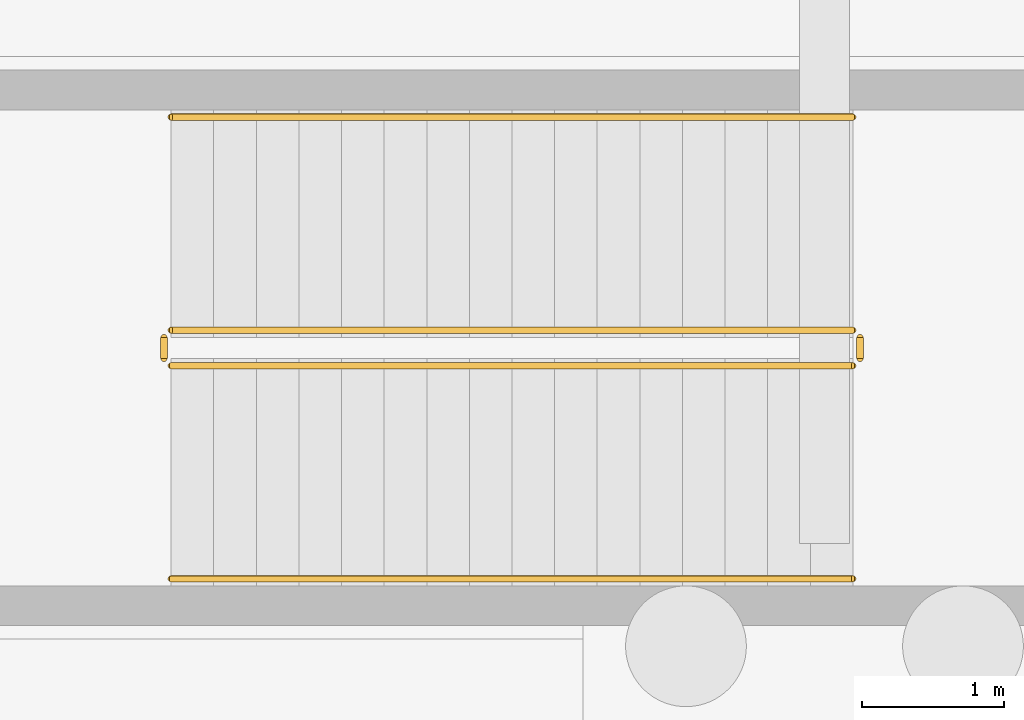
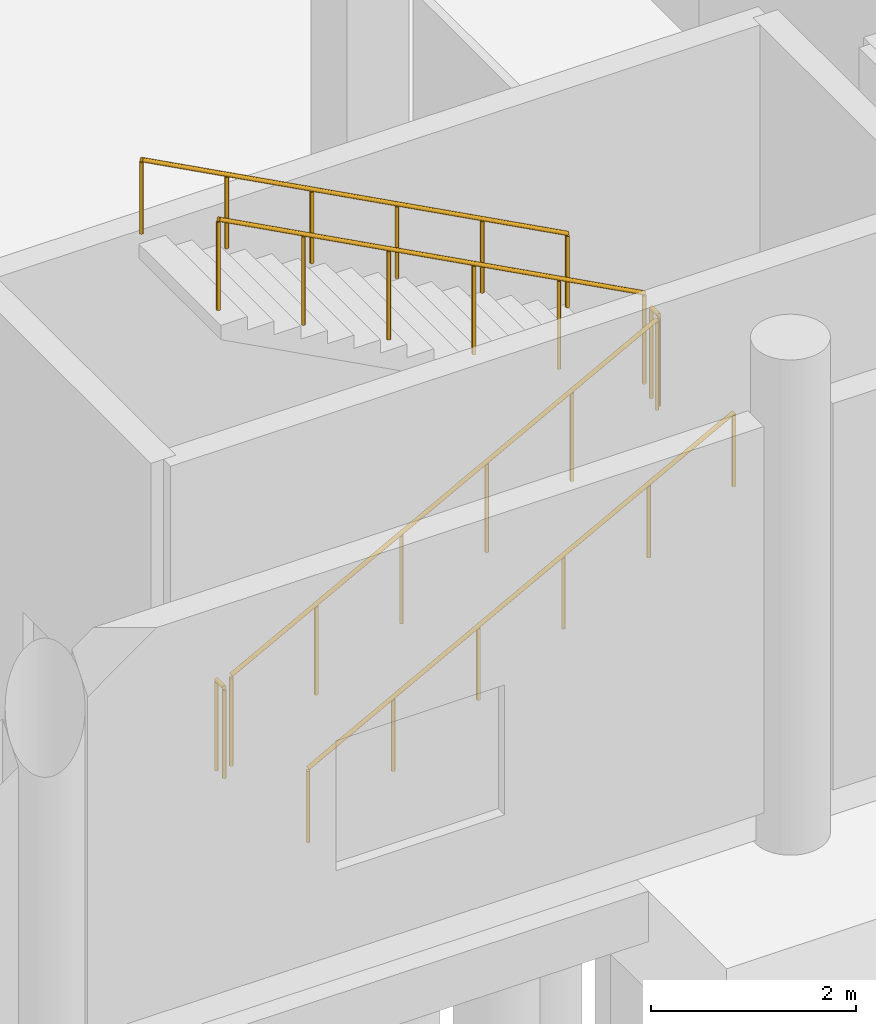
# One storey, part 77 of 83: 6 railings.
"""IFC4 building model written with IfcOpenShell, lengths in metres."""

from ifc_helpers import new_model, si_unit, direction, frame, origin, origin_2d, place, context, subcontext, project, spatial, circle, extrude, material, type_object, element, save


model = new_model("IFC4")

# Units and contexts
model_context = context("Model", 3, precision=1e-05, world=origin(), true_north=direction((0.0, 1.0)))
body_context = subcontext(model_context, "Body", "Model", "MODEL_VIEW")
ifc_project = project(units=[si_unit("LENGTHUNIT", "METRE"), si_unit("AREAUNIT", "SQUARE_METRE"), si_unit("VOLUMEUNIT", "CUBIC_METRE"), si_unit("PLANEANGLEUNIT", "RADIAN"), si_unit("MASSUNIT", "GRAM", prefix="KILO"), si_unit("THERMODYNAMICTEMPERATUREUNIT", "KELVIN"), si_unit("POWERUNIT", "WATT")], contexts=[model_context])

# Site, building, storey
site_placement = place(None, origin())
site = spatial("IfcSite", under=ifc_project, at=site_placement, CompositionType="ELEMENT")
building_placement = place(site_placement, origin())
building = spatial("IfcBuilding", under=site, at=building_placement, Name="Mavoryth Pier Ferry Terminal", CompositionType="ELEMENT")
storey_placement = place(building_placement, origin())
storey = spatial("IfcBuildingStorey", under=building, at=storey_placement, Name="L00", CompositionType="ELEMENT", Elevation=0.0)

# Railings
ifc_material_1 = material(Name="Painted Galvanised Steel Balustrade", Category="steel")
railing_type_1 = type_object("IfcRailingType", Name="Guard-Stair-Steel1100", PredefinedType="GUARDRAIL", material=ifc_material_1)
railing_1_placement = place(storey_placement, frame((79.39990234375, 75.35009765625, 0.159912109375)))
element("IfcRailing", 1, at=railing_1_placement, inside=storey, type_object=railing_type_1, Name="L00 ST05 stair guard 1", PredefinedType="GUARDRAIL", context=body_context, shape_type="SweptSolid", body=[
    extrude(circle(Radius=0.02392578125, at=origin_2d()), frame((0.0, 0.0, 1.076171875), z_axis=(0.882350456557, 0.0, 0.470592893925), x_axis=(0.0, 1.0, 0.0)), (0.0, 0.0, 1.0), 5.440185546875),
    extrude(circle(Radius=0.02099609375, at=origin_2d()), origin(), (0.0, 0.0, 1.0), 1.052001953125),
    extrude(circle(Radius=0.02099609375, at=origin_2d()), frame((0.9599609375, 0.0, 0.511962890625)), (0.0, 0.0, 1.0), 1.052001953125),
    extrude(circle(Radius=0.02099609375, at=origin_2d()), frame((1.919921875, 0.0, 1.02392578125)), (0.0, 0.0, 1.0), 1.052001953125),
    extrude(circle(Radius=0.02099609375, at=origin_2d()), frame((2.880126953125, 0.0, 1.5361328125)), (0.0, 0.0, 1.0), 1.052001953125),
    extrude(circle(Radius=0.02099609375, at=origin_2d()), frame((3.840087890625, 0.0, 2.048095703125)), (0.0, 0.0, 1.0), 1.052001953125),
    extrude(circle(Radius=0.02099609375, at=origin_2d()), frame((4.800048828125, 0.0, 2.56005859375)), (0.0, 0.0, 1.0), 1.052001953125),
])
railing_2_placement = place(storey_placement, frame((84.25, 75.39990234375, 2.719970703125)))
element("IfcRailing", 2, at=railing_2_placement, inside=storey, type_object=railing_type_1, Name="L00 ST05 stair guard 2", PredefinedType="GUARDRAIL", context=body_context, shape_type="SweptSolid", body=[
    extrude(circle(Radius=0.02392578125, at=origin_2d()), frame((0.0, 0.0, 1.076171875), z_axis=(0.0, 1.0, 0.0), x_axis=(-1.0, 0.0, 0.0)), (0.0, 0.0, 1.0), 0.150146484375),
    extrude(circle(Radius=0.02099609375, at=origin_2d()), origin(), (0.0, 0.0, 1.0), 1.052001953125),
    extrude(circle(Radius=0.02099609375, at=origin_2d()), frame((0.0, 0.150146484375, 0.0)), (0.0, 0.0, 1.0), 1.052001953125),
])
railing_3_placement = place(storey_placement, frame((84.199951171875, 75.60009765625, 2.8798828125)))
element("IfcRailing", 3, at=railing_3_placement, inside=storey, type_object=railing_type_1, Name="L00 ST05 stair guard 3", PredefinedType="GUARDRAIL", context=body_context, shape_type="SweptSolid", body=[
    extrude(circle(Radius=0.02392578125, at=origin_2d()), frame((0.0, 0.0, 1.076171875), z_axis=(-0.882350456557, 0.0, 0.470592893925), x_axis=(0.0, -1.0, 0.0)), (0.0, 0.0, 1.0), 5.440185546875),
    extrude(circle(Radius=0.02099609375, at=origin_2d()), origin(), (0.0, 0.0, 1.0), 1.052001953125),
    extrude(circle(Radius=0.02099609375, at=origin_2d()), frame((-0.9599609375, 0.0, 0.511962890625)), (0.0, 0.0, 1.0), 1.052001953125),
    extrude(circle(Radius=0.02099609375, at=origin_2d()), frame((-1.919921875, 0.0, 1.02392578125)), (0.0, 0.0, 1.0), 1.052001953125),
    extrude(circle(Radius=0.02099609375, at=origin_2d()), frame((-2.880126953125, 0.0, 1.5361328125)), (0.0, 0.0, 1.0), 1.052001953125),
    extrude(circle(Radius=0.02099609375, at=origin_2d()), frame((-3.840087890625, 0.0, 2.048095703125)), (0.0, 0.0, 1.0), 1.052001953125),
    extrude(circle(Radius=0.02099609375, at=origin_2d()), frame((-4.800048828125, 0.0, 2.56005859375)), (0.0, 0.0, 1.0), 1.052001953125),
])
railing_4_placement = place(storey_placement, frame((79.35009765625, 75.39990234375, 0.0)))
element("IfcRailing", 4, at=railing_4_placement, inside=storey, type_object=railing_type_1, Name="L00 ST05 stair guard 4", PredefinedType="GUARDRAIL", context=body_context, shape_type="SweptSolid", body=[
    extrude(circle(Radius=0.02392578125, at=origin_2d()), frame((0.0, 0.0, 1.076171875), z_axis=(0.0, 1.0, 0.0), x_axis=(-1.0, 0.0, 0.0)), (0.0, 0.0, 1.0), 0.150146484375),
    extrude(circle(Radius=0.02099609375, at=origin_2d()), origin(), (0.0, 0.0, 1.0), 1.052001953125),
    extrude(circle(Radius=0.02099609375, at=origin_2d()), frame((0.0, 0.150146484375, 0.0)), (0.0, 0.0, 1.0), 1.052001953125),
])
ifc_material_2 = material(Name="Brushed Stainless Steel Tubular Handrail", Category="steel")
railing_type_2 = type_object("IfcRailingType", Name="Handrail-Stair-SS900", PredefinedType="HANDRAIL", material=ifc_material_2)
railing_5_placement = place(storey_placement, frame((79.39990234375, 73.85009765625, 0.159912109375)))
element("IfcRailing", 5, at=railing_5_placement, inside=storey, type_object=railing_type_2, Name="L00 ST05 stair handrail 1", PredefinedType="HANDRAIL", context=body_context, shape_type="SweptSolid", body=[
    extrude(circle(Radius=0.02392578125, at=origin_2d()), frame((0.0, 0.0, 0.8759765625), z_axis=(0.882350456557, 0.0, 0.470592893925), x_axis=(0.0, 1.0, 0.0)), (0.0, 0.0, 1.0), 5.440185546875),
    extrude(circle(Radius=0.02099609375, at=origin_2d()), origin(), (0.0, 0.0, 1.0), 0.851806640625),
    extrude(circle(Radius=0.02099609375, at=origin_2d()), frame((0.9599609375, 0.0, 0.511962890625)), (0.0, 0.0, 1.0), 0.851806640625),
    extrude(circle(Radius=0.02099609375, at=origin_2d()), frame((1.919921875, 0.0, 1.02392578125)), (0.0, 0.0, 1.0), 0.851806640625),
    extrude(circle(Radius=0.02099609375, at=origin_2d()), frame((2.880126953125, 0.0, 1.5361328125)), (0.0, 0.0, 1.0), 0.851806640625),
    extrude(circle(Radius=0.02099609375, at=origin_2d()), frame((3.840087890625, 0.0, 2.048095703125)), (0.0, 0.0, 1.0), 0.851806640625),
    extrude(circle(Radius=0.02099609375, at=origin_2d()), frame((4.800048828125, 0.0, 2.56005859375)), (0.0, 0.0, 1.0), 0.851806640625),
])
railing_6_placement = place(storey_placement, frame((84.199951171875, 77.10009765625, 2.8798828125)))
element("IfcRailing", 6, at=railing_6_placement, inside=storey, type_object=railing_type_2, Name="L00 ST05 stair handrail 2", PredefinedType="HANDRAIL", context=body_context, shape_type="SweptSolid", body=[
    extrude(circle(Radius=0.02392578125, at=origin_2d()), frame((0.0, 0.0, 0.8759765625), z_axis=(-0.882350456557, 0.0, 0.470592893925), x_axis=(0.0, -1.0, 0.0)), (0.0, 0.0, 1.0), 5.440185546875),
    extrude(circle(Radius=0.02099609375, at=origin_2d()), origin(), (0.0, 0.0, 1.0), 0.851806640625),
    extrude(circle(Radius=0.02099609375, at=origin_2d()), frame((-0.9599609375, 0.0, 0.511962890625)), (0.0, 0.0, 1.0), 0.851806640625),
    extrude(circle(Radius=0.02099609375, at=origin_2d()), frame((-1.919921875, 0.0, 1.02392578125)), (0.0, 0.0, 1.0), 0.851806640625),
    extrude(circle(Radius=0.02099609375, at=origin_2d()), frame((-2.880126953125, 0.0, 1.5361328125)), (0.0, 0.0, 1.0), 0.851806640625),
    extrude(circle(Radius=0.02099609375, at=origin_2d()), frame((-3.840087890625, 0.0, 2.048095703125)), (0.0, 0.0, 1.0), 0.851806640625),
    extrude(circle(Radius=0.02099609375, at=origin_2d()), frame((-4.800048828125, 0.0, 2.56005859375)), (0.0, 0.0, 1.0), 0.851806640625),
])

save(model, "model.ifc")
